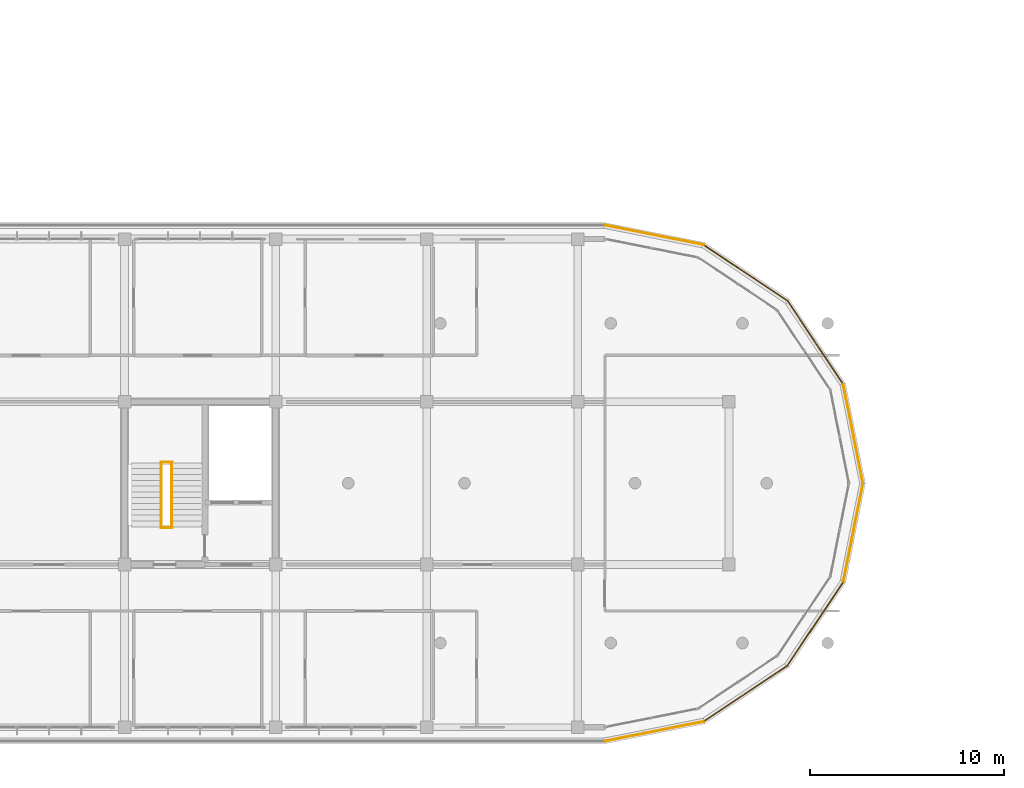
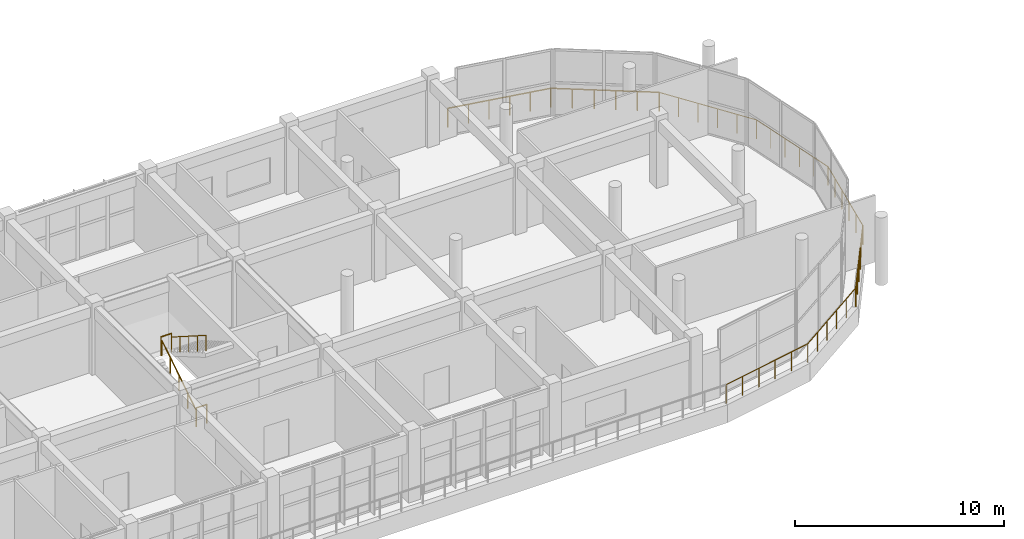
# One storey, part 57 of 57: 12 railings.
"""IFC4 building model written with IfcOpenShell, lengths in metres."""

from ifc_helpers import new_model, si_unit, direction, frame, origin, origin_2d, place, context, subcontext, project, spatial, circle, hollow_circle, extrude, material, material_profile, profile_set, type_object, element, save


model = new_model("IFC4")

# Units and contexts
model_context = context("Model", 3, precision=1e-05, world=origin(), true_north=direction((0.0, 1.0)))
body_context = subcontext(model_context, "Body", "Model", "MODEL_VIEW")
ifc_project = project(units=[si_unit("LENGTHUNIT", "METRE"), si_unit("AREAUNIT", "SQUARE_METRE"), si_unit("VOLUMEUNIT", "CUBIC_METRE"), si_unit("PLANEANGLEUNIT", "RADIAN"), si_unit("MASSUNIT", "GRAM", prefix="KILO")], contexts=[model_context])

# Site, building, storey
site_placement = place(None, origin())
site = spatial("IfcSite", under=ifc_project, at=site_placement, CompositionType="ELEMENT")
building_placement = place(site_placement, origin())
building = spatial("IfcBuilding", under=site, at=building_placement, Name="Zizhar Promenade General Hospital", CompositionType="ELEMENT")
storey_placement = place(building_placement, frame((0.0, 0.0, 22.199951171875)))
storey = spatial("IfcBuildingStorey", under=building, at=storey_placement, Name="L05", CompositionType="ELEMENT", Elevation=22.199951171875)

# Railings
ifc_material_1 = material(Name="Anodised aluminium 6063-T6", Category="aluminium")
ifc_material_profile_1 = material_profile(ifc_material_1, hollow_circle(Radius=0.06982421875, WallThickness=0.00634765625, at=origin_2d()))
ifc_profile_set_1 = profile_set([ifc_material_profile_1], Name="Anodised aluminium 6063-T6")
railing_type_1 = type_object("IfcRailingType", Name="RL-GUARD-TERR-1100", PredefinedType="GUARDRAIL", material=ifc_profile_set_1)
railing_1_placement = place(storey_placement, frame((118.39990234375, -0.719970703125, 0.0)))
element("IfcRailing", 1, at=railing_1_placement, inside=storey, type_object=railing_type_1, Name="Perimeter Safety Guardrail L05-01", PredefinedType="GUARDRAIL", context=body_context, shape_type="SweptSolid", body=[
    extrude(circle(Radius=0.02392578125, at=origin_2d()), frame((0.0, 0.0, 1.09619140625), z_axis=(0.980786101187, 0.195086195614, 0.0), x_axis=(-0.195086195614, 0.980786101187, 0.0)), (0.0, 0.0, 1.0), 5.197265625),
    extrude(circle(Radius=0.02099609375, at=origin_2d()), origin(), (0.0, 0.0, 1.0), 1.072021484375),
    extrude(circle(Radius=0.02099609375, at=origin_2d()), frame((1.01953125, 0.202880859375, 0.0)), (0.0, 0.0, 1.0), 1.072021484375),
    extrude(circle(Radius=0.02099609375, at=origin_2d()), frame((2.0390625, 0.405517578125, 0.0)), (0.0, 0.0, 1.0), 1.072021484375),
    extrude(circle(Radius=0.02099609375, at=origin_2d()), frame((3.058349609375, 0.6083984375, 0.0)), (0.0, 0.0, 1.0), 1.072021484375),
    extrude(circle(Radius=0.02099609375, at=origin_2d()), frame((4.077880859375, 0.81103515625, 0.0)), (0.0, 0.0, 1.0), 1.072021484375),
    extrude(circle(Radius=0.02099609375, at=origin_2d()), frame((5.097412109375, 1.013916015625, 0.0)), (0.0, 0.0, 1.0), 1.072021484375),
])
railing_2_placement = place(storey_placement, frame((123.497314453125, 0.2939453125, 0.0)))
element("IfcRailing", 2, at=railing_2_placement, inside=storey, type_object=railing_type_1, Name="Perimeter Safety Guardrail L05-02", PredefinedType="GUARDRAIL", context=body_context, shape_type="SweptSolid", body=[
    extrude(circle(Radius=0.02392578125, at=origin_2d()), frame((0.0, 0.0, 1.09619140625), z_axis=(0.831464445352, 0.555577965829, 0.0), x_axis=(-0.555577965829, 0.831464445352, 0.0)), (0.0, 0.0, 1.0), 5.197265625),
    extrude(circle(Radius=0.02099609375, at=origin_2d()), origin(), (0.0, 0.0, 1.0), 1.072021484375),
    extrude(circle(Radius=0.02099609375, at=origin_2d()), frame((0.8642578125, 0.577392578125, 0.0)), (0.0, 0.0, 1.0), 1.072021484375),
    extrude(circle(Radius=0.02099609375, at=origin_2d()), frame((1.728515625, 1.155029296875, 0.0)), (0.0, 0.0, 1.0), 1.072021484375),
    extrude(circle(Radius=0.02099609375, at=origin_2d()), frame((2.5927734375, 1.732421875, 0.0)), (0.0, 0.0, 1.0), 1.072021484375),
    extrude(circle(Radius=0.02099609375, at=origin_2d()), frame((3.45703125, 2.31005859375, 0.0)), (0.0, 0.0, 1.0), 1.072021484375),
    extrude(circle(Radius=0.02099609375, at=origin_2d()), frame((4.3212890625, 2.887451171875, 0.0)), (0.0, 0.0, 1.0), 1.072021484375),
])
railing_3_placement = place(storey_placement, frame((127.818603515625, 3.181396484375, 0.0)))
element("IfcRailing", 3, at=railing_3_placement, inside=storey, type_object=railing_type_1, Name="Perimeter Safety Guardrail L05-03", PredefinedType="GUARDRAIL", context=body_context, shape_type="SweptSolid", body=[
    extrude(circle(Radius=0.02392578125, at=origin_2d()), frame((0.0, 0.0, 1.09619140625), z_axis=(0.555577965829, 0.831464445352, 0.0), x_axis=(-0.831464445352, 0.555577965829, 0.0)), (0.0, 0.0, 1.0), 5.197265625),
    extrude(circle(Radius=0.02099609375, at=origin_2d()), origin(), (0.0, 0.0, 1.0), 1.072021484375),
    extrude(circle(Radius=0.02099609375, at=origin_2d()), frame((0.577392578125, 0.8642578125, 0.0)), (0.0, 0.0, 1.0), 1.072021484375),
    extrude(circle(Radius=0.02099609375, at=origin_2d()), frame((1.155029296875, 1.728515625, 0.0)), (0.0, 0.0, 1.0), 1.072021484375),
    extrude(circle(Radius=0.02099609375, at=origin_2d()), frame((1.732421875, 2.5927734375, 0.0)), (0.0, 0.0, 1.0), 1.072021484375),
    extrude(circle(Radius=0.02099609375, at=origin_2d()), frame((2.31005859375, 3.45703125, 0.0)), (0.0, 0.0, 1.0), 1.072021484375),
    extrude(circle(Radius=0.02099609375, at=origin_2d()), frame((2.887451171875, 4.3212890625, 0.0)), (0.0, 0.0, 1.0), 1.072021484375),
])
railing_4_placement = place(storey_placement, frame((130.7060546875, 7.502685546875, 0.0)))
element("IfcRailing", 4, at=railing_4_placement, inside=storey, type_object=railing_type_1, Name="Perimeter Safety Guardrail L05-04", PredefinedType="GUARDRAIL", context=body_context, shape_type="SweptSolid", body=[
    extrude(circle(Radius=0.02392578125, at=origin_2d()), frame((0.0, 0.0, 1.09619140625), z_axis=(0.195086195614, 0.980786101187, 0.0), x_axis=(-0.980786101187, 0.195086195614, 0.0)), (0.0, 0.0, 1.0), 5.197265625),
    extrude(circle(Radius=0.02099609375, at=origin_2d()), origin(), (0.0, 0.0, 1.0), 1.072021484375),
    extrude(circle(Radius=0.02099609375, at=origin_2d()), frame((0.202880859375, 1.01953125, 0.0)), (0.0, 0.0, 1.0), 1.072021484375),
    extrude(circle(Radius=0.02099609375, at=origin_2d()), frame((0.405517578125, 2.0390625, 0.0)), (0.0, 0.0, 1.0), 1.072021484375),
    extrude(circle(Radius=0.02099609375, at=origin_2d()), frame((0.6083984375, 3.058349609375, 0.0)), (0.0, 0.0, 1.0), 1.072021484375),
    extrude(circle(Radius=0.02099609375, at=origin_2d()), frame((0.81103515625, 4.077880859375, 0.0)), (0.0, 0.0, 1.0), 1.072021484375),
    extrude(circle(Radius=0.02099609375, at=origin_2d()), frame((1.013916015625, 5.097412109375, 0.0)), (0.0, 0.0, 1.0), 1.072021484375),
])
railing_5_placement = place(storey_placement, frame((131.719970703125, 12.60009765625, 0.0)))
element("IfcRailing", 5, at=railing_5_placement, inside=storey, type_object=railing_type_1, Name="Perimeter Safety Guardrail L05-05", PredefinedType="GUARDRAIL", context=body_context, shape_type="SweptSolid", body=[
    extrude(circle(Radius=0.02392578125, at=origin_2d()), frame((0.0, 0.0, 1.09619140625), z_axis=(-0.195095184069, 0.980784313268, 0.0), x_axis=(-0.980784313268, -0.195095184069, 0.0)), (0.0, 0.0, 1.0), 5.197021484375),
    extrude(circle(Radius=0.02099609375, at=origin_2d()), origin(), (0.0, 0.0, 1.0), 1.072021484375),
    extrude(circle(Radius=0.02099609375, at=origin_2d()), frame((-0.202880859375, 1.01953125, 0.0)), (0.0, 0.0, 1.0), 1.072021484375),
    extrude(circle(Radius=0.02099609375, at=origin_2d()), frame((-0.405517578125, 2.038818359375, 0.0)), (0.0, 0.0, 1.0), 1.072021484375),
    extrude(circle(Radius=0.02099609375, at=origin_2d()), frame((-0.6083984375, 3.058349609375, 0.0)), (0.0, 0.0, 1.0), 1.072021484375),
    extrude(circle(Radius=0.02099609375, at=origin_2d()), frame((-0.81103515625, 4.07763671875, 0.0)), (0.0, 0.0, 1.0), 1.072021484375),
    extrude(circle(Radius=0.02099609375, at=origin_2d()), frame((-1.013916015625, 5.09716796875, 0.0)), (0.0, 0.0, 1.0), 1.072021484375),
])
railing_6_placement = place(storey_placement, frame((130.7060546875, 17.697265625, 0.0)))
element("IfcRailing", 6, at=railing_6_placement, inside=storey, type_object=railing_type_1, Name="Perimeter Safety Guardrail L05-06", PredefinedType="GUARDRAIL", context=body_context, shape_type="SweptSolid", body=[
    extrude(circle(Radius=0.02392578125, at=origin_2d()), frame((0.0, 0.0, 1.09619140625), z_axis=(-0.555556266519, 0.83147894425, 0.0), x_axis=(-0.83147894425, -0.555556266519, 0.0)), (0.0, 0.0, 1.0), 5.197509765625),
    extrude(circle(Radius=0.02099609375, at=origin_2d()), origin(), (0.0, 0.0, 1.0), 1.072021484375),
    extrude(circle(Radius=0.02099609375, at=origin_2d()), frame((-0.577392578125, 0.8642578125, 0.0)), (0.0, 0.0, 1.0), 1.072021484375),
    extrude(circle(Radius=0.02099609375, at=origin_2d()), frame((-1.155029296875, 1.728515625, 0.0)), (0.0, 0.0, 1.0), 1.072021484375),
    extrude(circle(Radius=0.02099609375, at=origin_2d()), frame((-1.732421875, 2.593017578125, 0.0)), (0.0, 0.0, 1.0), 1.072021484375),
    extrude(circle(Radius=0.02099609375, at=origin_2d()), frame((-2.31005859375, 3.457275390625, 0.0)), (0.0, 0.0, 1.0), 1.072021484375),
    extrude(circle(Radius=0.02099609375, at=origin_2d()), frame((-2.887451171875, 4.321533203125, 0.0)), (0.0, 0.0, 1.0), 1.072021484375),
])
railing_7_placement = place(storey_placement, frame((127.818603515625, 22.018798828125, 0.0)))
element("IfcRailing", 7, at=railing_7_placement, inside=storey, type_object=railing_type_1, Name="Perimeter Safety Guardrail L05-07", PredefinedType="GUARDRAIL", context=body_context, shape_type="SweptSolid", body=[
    extrude(circle(Radius=0.02392578125, at=origin_2d()), frame((0.0, 0.0, 1.09619140625), z_axis=(-0.831486145253, 0.555545488913, 0.0), x_axis=(-0.555545488913, -0.831486145253, 0.0)), (0.0, 0.0, 1.0), 5.197021484375),
    extrude(circle(Radius=0.02099609375, at=origin_2d()), origin(), (0.0, 0.0, 1.0), 1.072021484375),
    extrude(circle(Radius=0.02099609375, at=origin_2d()), frame((-0.8642578125, 0.577392578125, 0.0)), (0.0, 0.0, 1.0), 1.072021484375),
    extrude(circle(Radius=0.02099609375, at=origin_2d()), frame((-1.728515625, 1.15478515625, 0.0)), (0.0, 0.0, 1.0), 1.072021484375),
    extrude(circle(Radius=0.02099609375, at=origin_2d()), frame((-2.5927734375, 1.732421875, 0.0)), (0.0, 0.0, 1.0), 1.072021484375),
    extrude(circle(Radius=0.02099609375, at=origin_2d()), frame((-3.45703125, 2.309814453125, 0.0)), (0.0, 0.0, 1.0), 1.072021484375),
    extrude(circle(Radius=0.02099609375, at=origin_2d()), frame((-4.3212890625, 2.88720703125, 0.0)), (0.0, 0.0, 1.0), 1.072021484375),
])
railing_8_placement = place(storey_placement, frame((123.497314453125, 24.906005859375, 0.0)))
element("IfcRailing", 8, at=railing_8_placement, inside=storey, type_object=railing_type_1, Name="Perimeter Safety Guardrail L05-08", PredefinedType="GUARDRAIL", context=body_context, shape_type="SweptSolid", body=[
    extrude(circle(Radius=0.02392578125, at=origin_2d()), frame((0.0, 0.0, 1.09619140625), z_axis=(-0.980786101187, 0.195086195614, 0.0), x_axis=(-0.195086195614, -0.980786101187, 0.0)), (0.0, 0.0, 1.0), 5.197265625),
    extrude(circle(Radius=0.02099609375, at=origin_2d()), origin(), (0.0, 0.0, 1.0), 1.072021484375),
    extrude(circle(Radius=0.02099609375, at=origin_2d()), frame((-1.01953125, 0.202880859375, 0.0)), (0.0, 0.0, 1.0), 1.072021484375),
    extrude(circle(Radius=0.02099609375, at=origin_2d()), frame((-2.0390625, 0.405517578125, 0.0)), (0.0, 0.0, 1.0), 1.072021484375),
    extrude(circle(Radius=0.02099609375, at=origin_2d()), frame((-3.058349609375, 0.6083984375, 0.0)), (0.0, 0.0, 1.0), 1.072021484375),
    extrude(circle(Radius=0.02099609375, at=origin_2d()), frame((-4.077880859375, 0.81103515625, 0.0)), (0.0, 0.0, 1.0), 1.072021484375),
    extrude(circle(Radius=0.02099609375, at=origin_2d()), frame((-5.097412109375, 1.013916015625, 0.0)), (0.0, 0.0, 1.0), 1.072021484375),
])
ifc_material_2 = material(Name="Anodised aluminium 6063-T6", Category="aluminium")
ifc_material_profile_2 = material_profile(ifc_material_2, hollow_circle(Radius=0.06982421875, WallThickness=0.00634765625, at=origin_2d()))
ifc_profile_set_2 = profile_set([ifc_material_profile_2], Name="Anodised aluminium 6063-T6")
railing_type_2 = type_object("IfcRailingType", Name="RL-HANDRAIL-920", PredefinedType="HANDRAIL", material=ifc_profile_set_2)
railing_9_placement = place(storey_placement, frame((95.5, 10.35009765625, 0.0)))
element("IfcRailing", 9, at=railing_9_placement, inside=storey, type_object=railing_type_2, Name="Stair ST-05 Flight 1 Handrail (L05)", PredefinedType="HANDRAIL", context=body_context, shape_type="SweptSolid", body=[
    extrude(circle(Radius=0.02392578125, at=origin_2d()), frame((0.0, 0.0, 0.89599609375), z_axis=(0.0, 0.843635785416, 0.536915879413), x_axis=(-1.0, 0.0, 0.0)), (0.0, 0.0, 1.0), 3.911376953125),
    extrude(circle(Radius=0.02099609375, at=origin_2d()), origin(), (0.0, 0.0, 1.0), 0.871826171875),
    extrude(circle(Radius=0.02099609375, at=origin_2d()), frame((0.0, 0.824951171875, 0.52490234375)), (0.0, 0.0, 1.0), 0.871826171875),
    extrude(circle(Radius=0.02099609375, at=origin_2d()), frame((0.0, 1.64990234375, 1.050048828125)), (0.0, 0.0, 1.0), 0.871826171875),
    extrude(circle(Radius=0.02099609375, at=origin_2d()), frame((0.0, 2.474853515625, 1.5751953125)), (0.0, 0.0, 1.0), 0.871826171875),
    extrude(circle(Radius=0.02099609375, at=origin_2d()), frame((0.0, 3.2998046875, 2.10009765625)), (0.0, 0.0, 1.0), 0.871826171875),
])
railing_10_placement = place(storey_placement, frame((96.0400390625, 13.64990234375, 2.10009765625)))
element("IfcRailing", 10, at=railing_10_placement, inside=storey, type_object=railing_type_2, Name="Stair ST-05 Flight 2 Handrail (L05)", PredefinedType="HANDRAIL", context=body_context, shape_type="SweptSolid", body=[
    extrude(circle(Radius=0.02392578125, at=origin_2d()), frame((0.0, 0.0, 0.89599609375), z_axis=(0.0, -0.843664057944, 0.536871453268), x_axis=(1.0, 0.0, 0.0)), (0.0, 0.0, 1.0), 3.911376953125),
    extrude(circle(Radius=0.02099609375, at=origin_2d()), origin(), (0.0, 0.0, 1.0), 0.871826171875),
    extrude(circle(Radius=0.02099609375, at=origin_2d()), frame((0.0, -0.824951171875, 0.52490234375)), (0.0, 0.0, 1.0), 0.871826171875),
    extrude(circle(Radius=0.02099609375, at=origin_2d()), frame((0.0, -1.64990234375, 1.0498046875)), (0.0, 0.0, 1.0), 0.871826171875),
    extrude(circle(Radius=0.02099609375, at=origin_2d()), frame((0.0, -2.474853515625, 1.574951171875)), (0.0, 0.0, 1.0), 0.871826171875),
    extrude(circle(Radius=0.02099609375, at=origin_2d()), frame((0.0, -3.2998046875, 2.099853515625)), (0.0, 0.0, 1.0), 0.871826171875),
])
ifc_material_3 = material(Name="Steel S355", Category="steel")
ifc_material_profile_3 = material_profile(ifc_material_3, hollow_circle(Radius=0.06982421875, WallThickness=0.00634765625, at=origin_2d()))
ifc_profile_set_3 = profile_set([ifc_material_profile_3], Name="Steel S355")
railing_type_3 = type_object("IfcRailingType", Name="RL-STAIR-GUARD-1100", PredefinedType="GUARDRAIL", material=ifc_profile_set_3)
for number, where, name in (
    (11, (95.47998046875, 13.68994140625, 2.10009765625), "Stair ST-05 Half-Landing Guard (L05)"),
    (12, (95.47998046875, 10.31005859375, 0.0), "Stair ST-05 Landing Well Guard (L05)"),
):
    element("IfcRailing", number, at=place(storey_placement, frame(where)), inside=storey, type_object=railing_type_3, Name=name, PredefinedType="GUARDRAIL", context=body_context, shape_type="SweptSolid", body=[
        extrude(circle(Radius=0.02392578125, at=origin_2d()), frame((0.0, 0.0, 1.076171875), z_axis=(1.0, 0.0, 0.0), x_axis=(0.0, 1.0, 0.0)), (0.0, 0.0, 1.0), 0.580078125),
        extrude(circle(Radius=0.02099609375, at=origin_2d()), origin(), (0.0, 0.0, 1.0), 1.052001953125),
        extrude(circle(Radius=0.02099609375, at=origin_2d()), frame((0.580078125, 0.0, 0.0)), (0.0, 0.0, 1.0), 1.052001953125),
    ])

save(model, "model.ifc")
